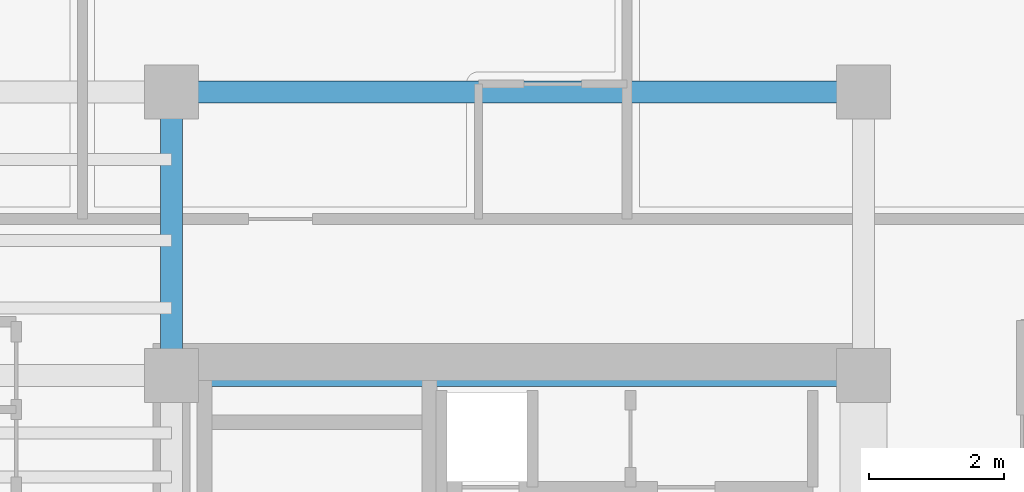
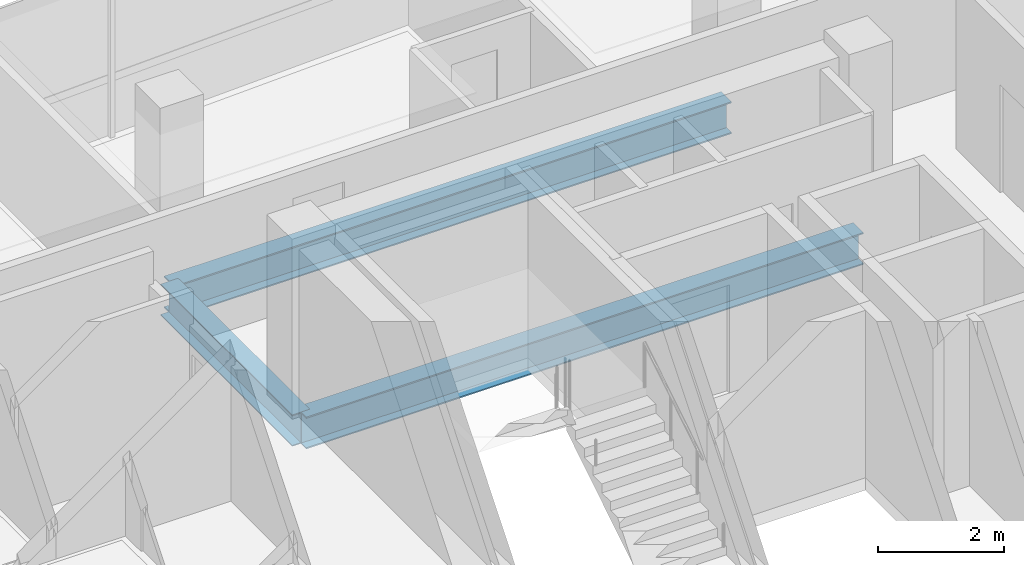
# One storey, part 9 of 20: 3 beams.
"""IFC4 building model written with IfcOpenShell, lengths in metres."""

from ifc_helpers import new_model, si_unit, direction, frame, origin, origin_2d, place, context, subcontext, project, spatial, i_section, extrude, source, transform, mapped, material, material_profile, profile_set, type_object, element, save


model = new_model("IFC4")

# Units and contexts
model_context = context("Model", 3, precision=1e-05, world=origin(), true_north=direction((0.0, 1.0)))
body_context = subcontext(model_context, "Body", "Model", "MODEL_VIEW")
ifc_project = project(units=[si_unit("LENGTHUNIT", "METRE"), si_unit("AREAUNIT", "SQUARE_METRE"), si_unit("VOLUMEUNIT", "CUBIC_METRE"), si_unit("PLANEANGLEUNIT", "RADIAN"), si_unit("MASSUNIT", "GRAM", prefix="KILO")], contexts=[model_context])

# Site, building, storey
site_placement = place(None, origin())
site = spatial("IfcSite", under=ifc_project, at=site_placement, CompositionType="ELEMENT")
building_placement = place(site_placement, origin())
building = spatial("IfcBuilding", under=site, at=building_placement, Name="Valdorenza Pilgrim Sanctuary Tower", CompositionType="ELEMENT")
storey_placement = place(building_placement, frame((0.0, 0.0, 283.5)))
storey = spatial("IfcBuildingStorey", under=building, at=storey_placement, Name="L74", CompositionType="ELEMENT", Elevation=283.5)

# Beams
ifc_material = material(Name="Steel ASTM A992 Grade 50", Category="steel")
ifc_material_profile_1 = material_profile(ifc_material, i_section(OverallWidth=0.323974609375, OverallDepth=0.611083984375, WebThickness=0.0126953125, FlangeThickness=0.01904296875, at=origin_2d()), Name="W24X104")
ifc_profile_set_1 = profile_set([ifc_material_profile_1], Name="Steel ASTM A992 Grade 50")
beam_type_1 = type_object("IfcBeamType", Name="STR-BM-GRD-W24B", PredefinedType="BEAM", material=ifc_profile_set_1)
shared_shape_1 = source(origin(), body_context, "Body", "SweptSolid", [
    extrude(i_section(OverallWidth=0.323974609375, OverallDepth=0.611083984375, WebThickness=0.0126953125, FlangeThickness=0.01904296875, at=origin_2d()), origin(), (0.0, 0.0, 1.0), 4.199951171875),
])
beam_placement = place(storey_placement, frame((-22.64990234375, 10.60009765625, -0.54541015625), z_axis=(0.0, 1.0, 0.0), x_axis=(-1.0, 0.0, 0.0)))
element("IfcBeam", 1, at=beam_placement, inside=storey, type_object=beam_type_1, Name="L74 Core Tie Girder CA-W-N1N2", PredefinedType="BEAM", context=body_context, shape_type="MappedRepresentation", body=[
    mapped(shared_shape_1, transform((0.0, 0.0, 0.0), x_axis=(1.0, 0.0, 0.0), y_axis=(0.0, 1.0, 0.0), z_axis=(0.0, 0.0, 1.0), scale=1.0)),
])
ifc_material_profile_2 = material_profile(ifc_material, i_section(OverallWidth=0.326904296875, OverallDepth=0.6220703125, WebThickness=0.015380859375, FlangeThickness=0.0244140625, at=origin_2d()), Name="W24X131")
ifc_profile_set_2 = profile_set([ifc_material_profile_2], Name="Steel ASTM A992 Grade 50")
beam_type_2 = type_object("IfcBeamType", Name="STR-BM-GRD-W24A", PredefinedType="BEAM", material=ifc_profile_set_2)
shared_shape_2 = source(origin(), body_context, "Body", "SweptSolid", [
    extrude(i_section(OverallWidth=0.326904296875, OverallDepth=0.6220703125, WebThickness=0.015380859375, FlangeThickness=0.0244140625, at=origin_2d()), origin(), (0.0, 0.0, 1.0), 10.25),
])
for number, where, z_axis, x_axis, name in (
    (2, (-22.64990234375, 10.60009765625, -0.551025390625), (1.0, 0.0, 0.0), (0.0, 1.0, 0.0), "L74 Floor Girder CA-XC-N1"),
    (3, (-22.64990234375, 14.800048828125, -0.551025390625), (1.0, 0.0, 0.0), (0.0, 1.0, 0.0), "L74 Floor Girder CA-XC-N2"),
):
    element("IfcBeam", number, at=place(storey_placement, frame(where, z_axis=z_axis, x_axis=x_axis)), inside=storey, type_object=beam_type_2, Name=name, PredefinedType="BEAM", context=body_context, shape_type="MappedRepresentation", body=[
        mapped(shared_shape_2, transform((0.0, 0.0, 0.0), x_axis=(1.0, 0.0, 0.0), y_axis=(0.0, 1.0, 0.0), z_axis=(0.0, 0.0, 1.0), scale=1.0)),
    ])

save(model, "model.ifc")
